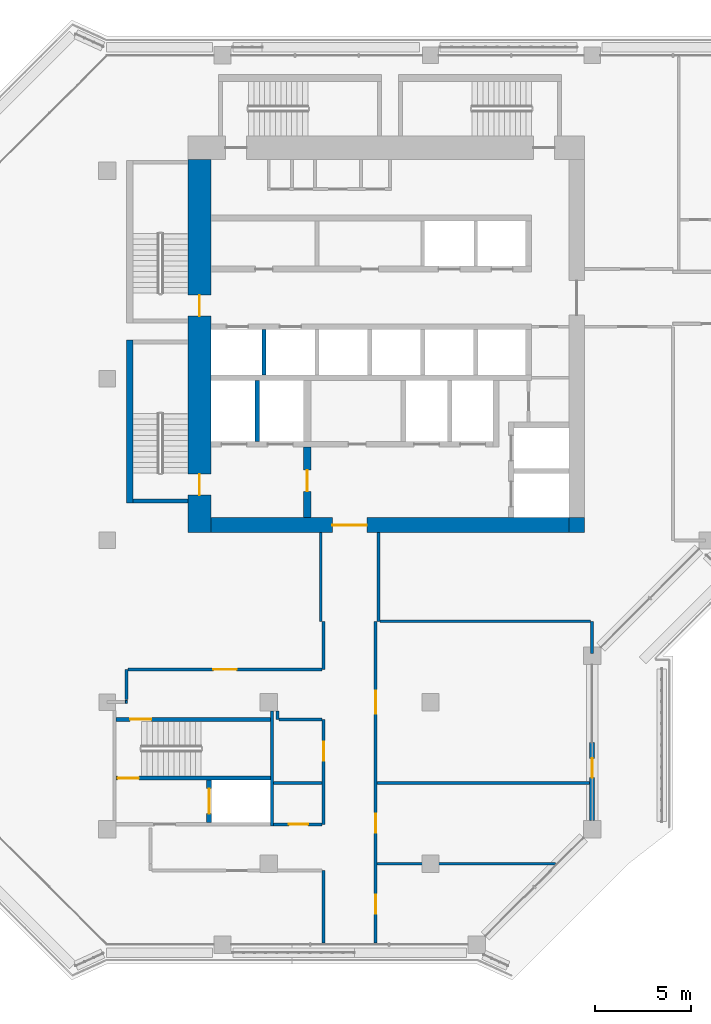
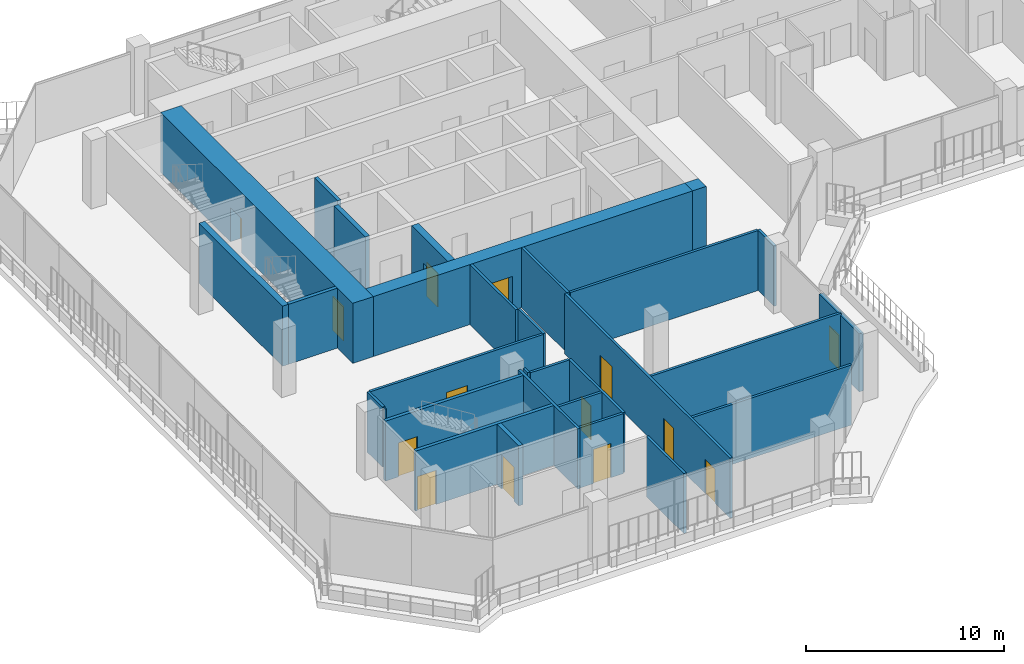
# One storey, part 10 of 23: 30 walls, 14 doors, 14 openings.
"""IFC4 building model written with IfcOpenShell, lengths in metres."""

import ifcopenshell
import ifcopenshell.guid

model = None  # the IFC model being written
_history = None  # IfcOwnerHistory: only IFC2X3 demands one
_inside = {}  # id of a spatial element -> (the spatial element, [elements in it])
_under = {}  # id of a project, library or spatial element -> (it, [spatial elements below it])
_declared = {}  # id of a project -> (the project, [libraries it declares])
_typed = {}  # id of a type object -> (the type object, [elements of that type])
_made_of = {}  # id of a material, layer set ... -> (it, [elements and type objects made of it])


def new_model(schema):
    """Start an empty IFC model of exactly this schema.

    Asked for "IFC4X3", IfcOpenShell would pick the latest addendum, in which some entities
    have other attributes; the version numbers below select the first issue.
    IFC2X3 requires an IfcOwnerHistory on every rooted entity: one is made here for all.
    """
    global model, _history
    if schema == "IFC4X3":
        model = ifcopenshell.file(schema_version=(4, 3, 0, 0))
    else:
        model = ifcopenshell.file(schema=schema)
    _inside.clear()
    _under.clear()
    _declared.clear()
    _typed.clear()
    _made_of.clear()
    _history = None
    if model.schema == "IFC2X3":
        org = make("IfcOrganization", Name="unknown")
        user = make(
            "IfcPersonAndOrganization",
            ThePerson=make("IfcPerson", FamilyName="unknown"),
            TheOrganization=org,
        )
        app = make(
            "IfcApplication",
            ApplicationDeveloper=org,
            Version="unknown",
            ApplicationFullName="unknown",
            ApplicationIdentifier="unknown",
        )
        _history = make(
            "IfcOwnerHistory",
            OwningUser=user,
            OwningApplication=app,
            ChangeAction="ADDED",
            CreationDate=0,
        )
    return model


def make(cls, **values):
    """One entity of the class cls with the attributes given. An attribute that is None is left unset."""
    return model.create_entity(
        cls, **{name: value for name, value in values.items() if value is not None}
    )


def rooted(cls, **values):
    """An entity with a GlobalId (a new one), such as an element, a storey or a relation."""
    return make(cls, GlobalId=ifcopenshell.guid.new(), OwnerHistory=_history, **values)


def si_unit(unit_type, name, prefix=None):
    """IfcSIUnit, for example si_unit("LENGTHUNIT", "METRE", prefix="MILLI")."""
    return make("IfcSIUnit", UnitType=unit_type, Prefix=prefix, Name=name)


def assignment(units):
    """IfcUnitAssignment: the units of a project."""
    return None if units is None else make("IfcUnitAssignment", Units=units)


def point(xyz):
    """IfcCartesianPoint."""
    return None if xyz is None else make("IfcCartesianPoint", Coordinates=xyz)


def direction(xyz):
    """IfcDirection."""
    return None if xyz is None else make("IfcDirection", DirectionRatios=xyz)


def frame(location, z_axis=None, x_axis=None):
    """IfcAxis2Placement3D, a coordinate frame: its origin and axes. An axis left out is left unset."""
    return make(
        "IfcAxis2Placement3D",
        Location=point(location),
        Axis=direction(z_axis),
        RefDirection=direction(x_axis),
    )


def frame_2d(location, x_axis=None):
    """IfcAxis2Placement2D, a coordinate frame in the plane: its origin and x axis."""
    return make(
        "IfcAxis2Placement2D", Location=point(location), RefDirection=direction(x_axis)
    )


def origin():
    """The frame at (0, 0, 0) with its axes left unset."""
    return frame((0.0, 0.0, 0.0))


def place(relative_to, where):
    """IfcLocalPlacement: puts the frame where relative to a parent placement (None: the world)."""
    return make(
        "IfcLocalPlacement", PlacementRelTo=relative_to, RelativePlacement=where
    )


def context(
    kind, dimensions, precision=None, world=None, true_north=None, identifier=None
):
    """IfcGeometricRepresentationContext, for example the 3D "Model" context."""
    return make(
        "IfcGeometricRepresentationContext",
        ContextIdentifier=identifier,
        ContextType=kind,
        CoordinateSpaceDimension=dimensions,
        Precision=precision,
        WorldCoordinateSystem=world,
        TrueNorth=true_north,
    )


def subcontext(parent, identifier, kind, view, scale=None):
    """IfcGeometricRepresentationSubContext, for example "Body" below "Model"."""
    return make(
        "IfcGeometricRepresentationSubContext",
        ContextIdentifier=identifier,
        ContextType=kind,
        ParentContext=parent,
        TargetScale=scale,
        TargetView=view,
    )


def project(units=None, contexts=None):
    """IfcProject with its units and contexts."""
    return rooted(
        "IfcProject",
        Name="project",
        RepresentationContexts=contexts,
        UnitsInContext=assignment(units),
    )


def spatial(cls, under=None, at=None, **own):
    """A site, building, storey or space (cls), placed at a placement, below another one or the project."""
    s = rooted(cls, ObjectPlacement=at, **own)
    if under is not None:
        _under.setdefault(under.id(), (under, []))[1].append(s)
    return s


def profile(cls, at=None, kind="AREA", **sizes):
    """A parametric profile (cls). Its sizes go by their IFC names, for example OverallWidth=200.0."""
    return make(cls, ProfileType=kind, Position=at, **sizes)


def rectangle(**sizes):
    """IfcRectangleProfileDef."""
    return profile("IfcRectangleProfileDef", **sizes)


def extrude(swept, where, along, depth):
    """IfcExtrudedAreaSolid: the profile swept, set in the frame where, extruded along a direction by depth."""
    return make(
        "IfcExtrudedAreaSolid",
        SweptArea=swept,
        Position=where,
        ExtrudedDirection=direction(along),
        Depth=depth,
    )


def shape(context_of_items, identifier, shape_type, items):
    """IfcShapeRepresentation: the items that make up one representation, for example the "Body"."""
    return make(
        "IfcShapeRepresentation",
        ContextOfItems=context_of_items,
        RepresentationIdentifier=identifier,
        RepresentationType=shape_type,
        Items=items,
    )


def material(Name=None, Category=None):
    """IfcMaterial."""
    return make("IfcMaterial", Name=Name, Category=Category)


def layer(
    of_material, thickness, ventilated=None, Name=None, Category=None, Priority=None
):
    """IfcMaterialLayer: one layer of a wall or slab, of a material (None: an air gap)."""
    return make(
        "IfcMaterialLayer",
        Material=of_material,
        LayerThickness=thickness,
        IsVentilated=ventilated,
        Name=Name,
        Category=Category,
        Priority=Priority,
    )


def layer_set(layers, Name=None):
    """IfcMaterialLayerSet."""
    return make("IfcMaterialLayerSet", MaterialLayers=layers, LayerSetName=Name)


def made_of(thing, what):
    """Note that an element or type object is made of a material, layer set ...; save() writes the relation."""
    if what is not None:
        _made_of.setdefault(what.id(), (what, []))[1].append(thing)
    return thing


def type_object(cls, material=None, **own):
    """A type object (cls), such as IfcWallType, which elements share."""
    return made_of(rooted(cls, **own), material)


def element(
    cls,
    number,
    at=None,
    inside=None,
    cuts=None,
    type_object=None,
    material=None,
    context=None,
    identifier="Body",
    shape_type=None,
    held_by="IfcProductDefinitionShape",
    body=None,
    shapes=None,
    **own,
):
    """One element of the class cls, such as IfcWall. Its Tag is "e" and its number.

    at: its placement. inside: the storey or other place that contains it. cuts: it is an
    opening in that element (IfcRelVoidsElement). A single representation is given by context,
    identifier, shape_type and body (its items); several are given by shapes. held_by: the class
    of the entity that holds the representations. save() writes the other relations.
    """
    e = rooted(cls, Tag="e%d" % number, ObjectPlacement=at, **own)
    if body is not None:
        shapes = [shape(context, identifier, shape_type, body)]
    if shapes is not None:
        e.Representation = make(held_by, Representations=shapes)
    if inside is not None:
        _inside.setdefault(inside.id(), (inside, []))[1].append(e)
    if cuts is not None:
        rooted(
            "IfcRelVoidsElement", RelatingBuildingElement=cuts, RelatedOpeningElement=e
        )
    if type_object is not None:
        _typed.setdefault(type_object.id(), (type_object, []))[1].append(e)
    return made_of(e, material)


def fill(opening, filler):
    """IfcRelFillsElement: the door or window that sits in an opening."""
    return rooted(
        "IfcRelFillsElement",
        RelatingOpeningElement=opening,
        RelatedBuildingElement=filler,
    )


def aggregate(whole, parts):
    """IfcRelAggregates: a whole, such as a stair, and the parts it consists of."""
    return rooted("IfcRelAggregates", RelatingObject=whole, RelatedObjects=parts)


def save(model, path):
    """Write the relations noted so far, then the file.

    IfcRelAggregates (storeys below a building ...), IfcRelContainedInSpatialStructure (elements
    in a storey), IfcRelDefinesByType, IfcRelAssociatesMaterial and IfcRelDeclares: one each for
    every whole, place, type object, material and project.
    """
    for whole, parts in _under.values():
        aggregate(whole, parts)
    for where, things in _inside.values():
        rooted(
            "IfcRelContainedInSpatialStructure",
            RelatedElements=things,
            RelatingStructure=where,
        )
    for kind, things in _typed.values():
        rooted("IfcRelDefinesByType", RelatedObjects=things, RelatingType=kind)
    for what, things in _made_of.values():
        rooted("IfcRelAssociatesMaterial", RelatedObjects=things, RelatingMaterial=what)
    for by, libraries in _declared.values():
        rooted("IfcRelDeclares", RelatingContext=by, RelatedDefinitions=libraries)
    model.write(path)


model = new_model("IFC4")

# Units and contexts
model_context = context("Model", 3, precision=1e-05, world=origin(), true_north=direction((0.0, 1.0)))
body_context = subcontext(model_context, "Body", "Model", "MODEL_VIEW")
ifc_project = project(units=[si_unit("LENGTHUNIT", "METRE"), si_unit("AREAUNIT", "SQUARE_METRE"), si_unit("VOLUMEUNIT", "CUBIC_METRE"), si_unit("PLANEANGLEUNIT", "RADIAN"), si_unit("MASSUNIT", "GRAM", prefix="KILO")], contexts=[model_context])

# Site, building, storey
site_placement = place(None, origin())
site = spatial("IfcSite", under=ifc_project, at=site_placement, CompositionType="ELEMENT")
building_placement = place(site_placement, origin())
building = spatial("IfcBuilding", under=site, at=building_placement, Name="Kawkab Arch Medical Tower", CompositionType="ELEMENT")
storey_placement = place(building_placement, frame((0.0, 0.0, 268.39990234375)))
storey = spatial("IfcBuildingStorey", under=building, at=storey_placement, Name="L62", CompositionType="ELEMENT", Elevation=268.39990234375)

# Wall, openings, doors
ifc_material_1 = material(Name="Concrete C50/60", Category="concrete")
ifc_layer_1 = layer(ifc_material_1, 1.199951171875)
ifc_layer_set_1 = layer_set([ifc_layer_1], Name="Concrete C50/60")
wall_type_1 = type_object("IfcWallType", Name="Core ring wall 1200 C50/60", PredefinedType="SHEAR", material=ifc_layer_set_1)
wall_1_placement = place(storey_placement, frame((4.800048828125, -24.800048828125, 0.0), z_axis=(0.0, 0.0, 1.0), x_axis=(0.0, 1.0, 0.0)))
wall_1 = element("IfcWall", 1, at=wall_1_placement, inside=storey, type_object=wall_type_1, Name="L62 core wall", PredefinedType="SHEAR", context=body_context, shape_type="SweptSolid", body=[
    extrude(rectangle(XDim=19.400146484375, YDim=1.199951171875, at=frame_2d((9.7001953125, 0.0))), origin(), (0.0, 0.0, 1.0), 3.7001953125),
])
opening_1_placement = place(wall_1_placement, frame((11.25, 0.0, 0.0)))
opening_1 = element("IfcOpeningElement", 2, at=opening_1_placement, cuts=wall_1, Name="Opening SD", PredefinedType="OPENING", context=body_context, shape_type="SweptSolid", body=[
    extrude(rectangle(XDim=1.10009765625, YDim=2.10009765625, at=frame_2d((0.550048828125, 1.050048828125))), frame((0.0, 0.60986328125, 0.0), z_axis=(0.0, -1.0, 0.0), x_axis=(1.0, 0.0, 0.0)), (0.0, 0.0, 1.0), 1.219970703125),
])
opening_2_placement = place(wall_1_placement, frame((1.949951171875, 0.0, 0.0)))
opening_2 = element("IfcOpeningElement", 3, at=opening_2_placement, cuts=wall_1, Name="Opening SD", PredefinedType="OPENING", context=body_context, shape_type="SweptSolid", body=[
    extrude(rectangle(XDim=1.10009765625, YDim=2.10009765625, at=frame_2d((0.550048828125, 1.050048828125))), frame((0.0, 0.60986328125, 0.0), z_axis=(0.0, -1.0, 0.0), x_axis=(1.0, 0.0, 0.0)), (0.0, 0.0, 1.0), 1.219970703125),
])
ifc_material_2 = material(Name="Hollow metal fire door leaf")
door_type_1 = type_object("IfcDoorType", Name="Exit stair door 1100", OperationType="SINGLE_SWING_LEFT", PredefinedType="DOOR", material=ifc_material_2)
door_1_placement = place(opening_1_placement, origin())
door_1 = element("IfcDoor", 4, at=door_1_placement, inside=storey, type_object=door_type_1, Name="L62 Exit stair ST1 door", OperationType="SINGLE_SWING_LEFT", OverallHeight=2.10009765625, OverallWidth=1.10009765625, PredefinedType="DOOR", context=body_context, shape_type="SweptSolid", body=[
    extrude(rectangle(XDim=1.10009765625, YDim=2.10009765625, at=frame_2d((0.550048828125, 1.050048828125))), frame((0.0, 0.02490234375, 0.0), z_axis=(0.0, -1.0, 0.0), x_axis=(1.0, 0.0, 0.0)), (0.0, 0.0, 1.0), 0.050048828125),
])
fill(opening_1, door_1)
door_2_placement = place(opening_2_placement, origin())
door_2 = element("IfcDoor", 5, at=door_2_placement, inside=storey, type_object=door_type_1, Name="L62 Exit stair ST2 door", OperationType="SINGLE_SWING_LEFT", OverallHeight=2.10009765625, OverallWidth=1.10009765625, PredefinedType="DOOR", context=body_context, shape_type="SweptSolid", body=[
    extrude(rectangle(XDim=1.10009765625, YDim=2.10009765625, at=frame_2d((0.550048828125, 1.050048828125))), frame((0.0, 0.02490234375, 0.0), z_axis=(0.0, -1.0, 0.0), x_axis=(1.0, 0.0, 0.0)), (0.0, 0.0, 1.0), 0.050048828125),
])
fill(opening_2, door_2)

# Wall, opening, door
ifc_material_3 = material(Name="Concrete C50/60", Category="concrete")
ifc_layer_2 = layer(ifc_material_3, 0.800048828125)
ifc_layer_set_2 = layer_set([ifc_layer_2], Name="Concrete C50/60")
wall_type_2 = type_object("IfcWallType", Name="Core ring wall 800 C50/60", PredefinedType="SHEAR", material=ifc_layer_set_2)
wall_2_placement = place(storey_placement, frame((5.39990234375, -24.39990234375, 0.0), z_axis=(0.0, 0.0, 1.0), x_axis=(1.0, 0.0, 0.0)))
wall_2 = element("IfcWall", 6, at=wall_2_placement, inside=storey, type_object=wall_type_2, Name="L62 core wall", PredefinedType="SHEAR", context=body_context, shape_type="SweptSolid", body=[
    extrude(rectangle(XDim=18.60009765625, YDim=0.800048828125, at=frame_2d((9.300048828125, 0.0))), origin(), (0.0, 0.0, 1.0), 3.7001953125),
])
opening_3_placement = place(wall_2_placement, frame((6.300048828125, 0.0, 0.0)))
opening_3 = element("IfcOpeningElement", 7, at=opening_3_placement, cuts=wall_2, Name="Opening PD", PredefinedType="OPENING", context=body_context, shape_type="SweptSolid", body=[
    extrude(rectangle(XDim=1.800048828125, YDim=2.10009765625, at=frame_2d((0.89990234375, 1.050048828125))), frame((0.0, 0.409912109375, 0.0), z_axis=(0.0, -1.0, 0.0), x_axis=(1.0, 0.0, 0.0)), (0.0, 0.0, 1.0), 0.820068359375),
])
ifc_material_4 = material(Name="Hollow metal fire door leaf")
door_type_2 = type_object("IfcDoorType", Name="Core entrance doors 1800", OperationType="DOUBLE_DOOR_SINGLE_SWING", PredefinedType="DOOR", material=ifc_material_4)
door_3_placement = place(opening_3_placement, origin())
door_3 = element("IfcDoor", 8, at=door_3_placement, inside=storey, type_object=door_type_2, Name="L62 South entrance doors", OperationType="DOUBLE_DOOR_SINGLE_SWING", OverallHeight=2.10009765625, OverallWidth=1.800048828125, PredefinedType="DOOR", context=body_context, shape_type="SweptSolid", body=[
    extrude(rectangle(XDim=1.800048828125, YDim=2.10009765625, at=frame_2d((0.89990234375, 1.050048828125))), frame((0.0, 0.02490234375, 0.0), z_axis=(0.0, -1.0, 0.0), x_axis=(1.0, 0.0, 0.0)), (0.0, 0.0, 1.0), 0.050048828125),
])
fill(opening_3, door_3)

# Walls
wall_3_placement = place(storey_placement, frame((24.39990234375, -24.800048828125, 0.0), z_axis=(0.0, 0.0, 1.0), x_axis=(0.0, 1.0, 0.0)))
element("IfcWall", 9, at=wall_3_placement, inside=storey, type_object=wall_type_2, Name="L62 core wall", PredefinedType="SHEAR", context=body_context, shape_type="SweptSolid", body=[
    extrude(rectangle(XDim=0.800048828125, YDim=0.800048828125, at=frame_2d((0.39990234375, 0.0))), origin(), (0.0, 0.0, 1.0), 3.7001953125),
])
ifc_material_5 = material(Name="Concrete C60/75", Category="concrete")
ifc_layer_3 = layer(ifc_material_5, 0.25)
ifc_layer_set_3 = layer_set([ifc_layer_3], Name="Concrete C60/75")
wall_type_3 = type_object("IfcWallType", Name="Core shear wall 250 C60/75", PredefinedType="SHEAR", material=ifc_layer_set_3)
wall_4_placement = place(storey_placement, frame((7.800048828125, -20.050048828125, 0.0), z_axis=(0.0, 0.0, 1.0), x_axis=(0.0, 1.0, 0.0)))
element("IfcWall", 10, at=wall_4_placement, inside=storey, type_object=wall_type_3, Name="L62 core shear wall", PredefinedType="SHEAR", context=body_context, shape_type="SweptSolid", body=[
    extrude(rectangle(XDim=3.150146484375, YDim=0.25, at=frame_2d((1.5751953125, 0.0))), origin(), (0.0, 0.0, 1.0), 3.7001953125),
])

# Wall, opening, door
wall_5_placement = place(storey_placement, frame((5.300048828125, -39.85009765625, 0.0), z_axis=(0.0, 0.0, 1.0), x_axis=(0.0, 1.0, 0.0)))
wall_5 = element("IfcWall", 11, at=wall_5_placement, inside=storey, type_object=wall_type_3, Name="L62 core shear wall", PredefinedType="SHEAR", context=body_context, shape_type="SweptSolid", body=[
    extrude(rectangle(XDim=2.2001953125, YDim=0.25, at=frame_2d((1.10009765625, 0.0))), origin(), (0.0, 0.0, 1.0), 3.7001953125),
])
opening_4_placement = place(wall_5_placement, frame((0.449951171875, 0.0, 0.0)))
opening_4 = element("IfcOpeningElement", 12, at=opening_4_placement, cuts=wall_5, Name="Opening LD2", PredefinedType="OPENING", context=body_context, shape_type="SweptSolid", body=[
    extrude(rectangle(XDim=1.300048828125, YDim=2.10009765625, at=frame_2d((0.64990234375, 1.050048828125))), frame((0.0, 0.135009765625, 0.0), z_axis=(0.0, -1.0, 0.0), x_axis=(1.0, 0.0, 0.0)), (0.0, 0.0, 1.0), 0.27001953125),
])
ifc_material_6 = material(Name="Stainless steel lift door leaf", Category="steel")
door_type_3 = type_object("IfcDoorType", Name="Lift landing door 1300", OperationType="DOUBLE_DOOR_SLIDING", PredefinedType="DOOR", material=ifc_material_6)
door_4_placement = place(opening_4_placement, origin())
door_4 = element("IfcDoor", 13, at=door_4_placement, inside=storey, type_object=door_type_3, Name="L62 Lift landing door SV2", OperationType="DOUBLE_DOOR_SLIDING", OverallHeight=2.10009765625, OverallWidth=1.300048828125, PredefinedType="DOOR", context=body_context, shape_type="SweptSolid", body=[
    extrude(rectangle(XDim=1.300048828125, YDim=2.10009765625, at=frame_2d((0.64990234375, 1.050048828125))), frame((0.0, 0.02490234375, 0.0), z_axis=(0.0, -1.0, 0.0), x_axis=(1.0, 0.0, 0.0)), (0.0, 0.0, 1.0), 0.050048828125),
])
fill(opening_4, door_4)

ifc_material_7 = material(Name="Concrete C60/75", Category="concrete")
ifc_layer_4 = layer(ifc_material_7, 0.39990234375)
ifc_layer_set_4 = layer_set([ifc_layer_4], Name="Concrete C60/75")
wall_type_4 = type_object("IfcWallType", Name="Core shear wall 400 C60/75", PredefinedType="SHEAR", material=ifc_layer_set_4)
wall_6_placement = place(storey_placement, frame((10.39990234375, -24.0, 0.0), z_axis=(0.0, 0.0, 1.0), x_axis=(0.0, 1.0, 0.0)))
wall_6 = element("IfcWall", 14, at=wall_6_placement, inside=storey, type_object=wall_type_4, Name="L62 core shear wall", PredefinedType="SHEAR", context=body_context, shape_type="SweptSolid", body=[
    extrude(rectangle(XDim=3.64990234375, YDim=0.39990234375, at=frame_2d((1.824951171875, 0.0))), origin(), (0.0, 0.0, 1.0), 3.7001953125),
])
opening_5_placement = place(wall_6_placement, frame((1.35009765625, 0.0, 0.0)))
opening_5 = element("IfcOpeningElement", 15, at=opening_5_placement, cuts=wall_6, Name="Opening FD", PredefinedType="OPENING", context=body_context, shape_type="SweptSolid", body=[
    extrude(rectangle(XDim=1.10009765625, YDim=2.10009765625, at=frame_2d((0.550048828125, 1.050048828125))), frame((0.0, 0.2099609375, 0.0), z_axis=(0.0, -1.0, 0.0), x_axis=(1.0, 0.0, 0.0)), (0.0, 0.0, 1.0), 0.419921875),
])
ifc_material_8 = material(Name="Hollow metal fire door leaf")
door_type_4 = type_object("IfcDoorType", Name="Firefighting lobby door 1100", OperationType="SINGLE_SWING_LEFT", PredefinedType="DOOR", material=ifc_material_8)
door_5_placement = place(opening_5_placement, origin())
door_5 = element("IfcDoor", 16, at=door_5_placement, inside=storey, type_object=door_type_4, Name="L62 Firefighting lobby door", OperationType="SINGLE_SWING_LEFT", OverallHeight=2.10009765625, OverallWidth=1.10009765625, PredefinedType="DOOR", context=body_context, shape_type="SweptSolid", body=[
    extrude(rectangle(XDim=1.10009765625, YDim=2.10009765625, at=frame_2d((0.550048828125, 1.050048828125))), frame((0.0, 0.02490234375, 0.0), z_axis=(0.0, -1.0, 0.0), x_axis=(1.0, 0.0, 0.0)), (0.0, 0.0, 1.0), 0.050048828125),
])
fill(opening_5, door_5)

ifc_material_9 = material(Name="Bronze clad insulated wall panel")
ifc_layer_5 = layer(ifc_material_9, 0.25)
ifc_layer_set_5 = layer_set([ifc_layer_5], Name="Bronze clad insulated wall panel")
wall_type_5 = type_object("IfcWallType", Name="External wall bay 250", PredefinedType="SOLIDWALL", material=ifc_layer_set_5)
wall_7_placement = place(storey_placement, frame((25.199951171875, -39.75, 0.0), z_axis=(0.0, 0.0, 1.0), x_axis=(0.0, 1.0, 0.0)))
wall_7 = element("IfcWall", 17, at=wall_7_placement, inside=storey, type_object=wall_type_5, Name="External wall bay L62.R05.1.1", PredefinedType="SOLIDWALL", context=body_context, shape_type="SweptSolid", body=[
    extrude(rectangle(XDim=4.050048828125, YDim=0.25, at=frame_2d((2.02490234375, 0.0))), origin(), (0.0, 0.0, 1.0), 3.580078125),
])
opening_6_placement = place(wall_7_placement, frame((2.22509765625, 0.0, 0.0)))
opening_6 = element("IfcOpeningElement", 18, at=opening_6_placement, cuts=wall_7, Name="Opening W57-701", PredefinedType="OPENING", context=body_context, shape_type="SweptSolid", body=[
    extrude(rectangle(XDim=1.0, YDim=2.10009765625, at=frame_2d((0.5, 1.050048828125))), frame((0.0, 0.135009765625, 0.0), z_axis=(0.0, -1.0, 0.0), x_axis=(1.0, 0.0, 0.0)), (0.0, 0.0, 1.0), 0.27001953125),
])
ifc_material_10 = material(Name="Bronze anodised aluminium door with tinted glass", Category="aluminium")
door_type_5 = type_object("IfcDoorType", Name="Single external door 1000 x 2100", OperationType="SINGLE_SWING_LEFT", PredefinedType="DOOR", material=ifc_material_10)
door_6_placement = place(opening_6_placement, origin())
door_6 = element("IfcDoor", 19, at=door_6_placement, inside=storey, type_object=door_type_5, Name="External door L62.R05.1.1", OperationType="SINGLE_SWING_LEFT", OverallHeight=2.10009765625, OverallWidth=1.0, PredefinedType="DOOR", context=body_context, shape_type="SweptSolid", body=[
    extrude(rectangle(XDim=1.0, YDim=2.10009765625, at=frame_2d((0.5, 1.050048828125))), frame((0.0, 0.02490234375, 0.0), z_axis=(0.0, -1.0, 0.0), x_axis=(1.0, 0.0, 0.0)), (0.0, 0.0, 1.0), 0.050048828125),
])
fill(opening_6, door_6)

# Walls
ifc_material_11 = material(Name="Dense concrete blockwork", Category="masonry")
ifc_layer_6 = layer(ifc_material_11, 0.199951171875)
ifc_layer_set_6 = layer_set([ifc_layer_6], Name="Dense concrete blockwork")
wall_type_6 = type_object("IfcWallType", Name="Lift shaft partition 200", PredefinedType="PARTITIONING", material=ifc_layer_set_6)
wall_8_placement = place(storey_placement, frame((8.14990234375, -16.60009765625, 0.0), z_axis=(0.0, 0.0, 1.0), x_axis=(0.0, 1.0, 0.0)))
element("IfcWall", 20, at=wall_8_placement, inside=storey, type_object=wall_type_6, Name="L62 lift shaft partition", PredefinedType="PARTITIONING", context=body_context, shape_type="SweptSolid", body=[
    extrude(rectangle(XDim=2.35009765625, YDim=0.199951171875, at=frame_2d((1.175048828125, 0.0))), origin(), (0.0, 0.0, 1.0), 3.7001953125),
])
ifc_material_12 = material(Name="Gypsum board partition on steel studs, mineral wool", Category="steel")
ifc_layer_7 = layer(ifc_material_12, 0.14990234375)
ifc_layer_set_7 = layer_set([ifc_layer_7], Name="Gypsum board partition on steel studs, mineral wool")
wall_type_7 = type_object("IfcWallType", Name="Partition 150", PredefinedType="PARTITIONING", material=ifc_layer_set_7)
wall_9_placement = place(storey_placement, frame((14.02490234375, -42.0, 0.0), z_axis=(0.0, 0.0, 1.0), x_axis=(1.0, 0.0, 0.0)))
element("IfcWall", 21, at=wall_9_placement, inside=storey, type_object=wall_type_7, Name="Partition 150 w020", PredefinedType="PARTITIONING", context=body_context, shape_type="SweptSolid", body=[
    extrude(rectangle(XDim=9.26220703125, YDim=0.14990234375, at=frame_2d((4.631103515625, 0.0))), origin(), (0.0, 0.0, 1.0), 3.7001953125),
])

# Wall, opening, door
wall_10_placement = place(storey_placement, frame((8.64990234375, -39.949951171875, 0.0), z_axis=(0.0, 0.0, 1.0), x_axis=(1.0, 0.0, 0.0)))
wall_10 = element("IfcWall", 22, at=wall_10_placement, inside=storey, type_object=wall_type_7, Name="Partition 150 w021", PredefinedType="PARTITIONING", context=body_context, shape_type="SweptSolid", body=[
    extrude(rectangle(XDim=2.525146484375, YDim=0.14990234375, at=frame_2d((1.2626953125, 0.0))), origin(), (0.0, 0.0, 1.0), 3.7001953125),
])
opening_7_placement = place(wall_10_placement, frame((0.800048828125, 0.0, 0.0)))
opening_7 = element("IfcOpeningElement", 23, at=opening_7_placement, cuts=wall_10, Name="Opening W57-014", PredefinedType="OPENING", context=body_context, shape_type="SweptSolid", body=[
    extrude(rectangle(XDim=1.0, YDim=2.10009765625, at=frame_2d((0.5, 1.050048828125))), frame((0.0, 0.0849609375, 0.0), z_axis=(0.0, -1.0, 0.0), x_axis=(1.0, 0.0, 0.0)), (0.0, 0.0, 1.0), 0.169921875),
])
ifc_material_13 = material(Name="Hollow metal door leaf")
door_type_6 = type_object("IfcDoorType", Name="Single door 1000x2100 FD30S", OperationType="NOTDEFINED", PredefinedType="DOOR", material=ifc_material_13)
door_7_placement = place(opening_7_placement, origin())
door_7 = element("IfcDoor", 24, at=door_7_placement, inside=storey, type_object=door_type_6, Name="Door W57-014", OperationType="SINGLE_SWING_RIGHT", OverallHeight=2.10009765625, OverallWidth=1.0, PredefinedType="DOOR", context=body_context, shape_type="SweptSolid", body=[
    extrude(rectangle(XDim=1.0, YDim=2.10009765625, at=frame_2d((0.5, 1.050048828125))), frame((0.0, 0.02490234375, 0.0), z_axis=(0.0, -1.0, 0.0), x_axis=(1.0, 0.0, 0.0)), (0.0, 0.0, 1.0), 0.050048828125),
])
fill(opening_7, door_7)

# Walls
wall_11_placement = place(storey_placement, frame((8.64990234375, -37.800048828125, 0.0), z_axis=(0.0, 0.0, 1.0), x_axis=(1.0, 0.0, 0.0)))
element("IfcWall", 25, at=wall_11_placement, inside=storey, type_object=wall_type_7, Name="Partition 150 w022", PredefinedType="PARTITIONING", context=body_context, shape_type="SweptSolid", body=[
    extrude(rectangle(XDim=2.525146484375, YDim=0.14990234375, at=frame_2d((1.2626953125, 0.0))), origin(), (0.0, 0.0, 1.0), 3.7001953125),
])
wall_12_placement = place(storey_placement, frame((14.02490234375, -37.800048828125, 0.0), z_axis=(0.0, 0.0, 1.0), x_axis=(1.0, 0.0, 0.0)))
element("IfcWall", 26, at=wall_12_placement, inside=storey, type_object=wall_type_7, Name="Partition 150 w023", PredefinedType="PARTITIONING", context=body_context, shape_type="SweptSolid", body=[
    extrude(rectangle(XDim=11.09521484375, YDim=0.14990234375, at=frame_2d((5.547607421875, 0.0))), origin(), (0.0, 0.0, 1.0), 3.7001953125),
])
wall_13_placement = place(storey_placement, frame((8.925048828125, -34.5, 0.0), z_axis=(0.0, 0.0, 1.0), x_axis=(1.0, 0.0, 0.0)))
element("IfcWall", 27, at=wall_13_placement, inside=storey, type_object=wall_type_7, Name="Partition 150 w024", PredefinedType="PARTITIONING", context=body_context, shape_type="SweptSolid", body=[
    extrude(rectangle(XDim=2.25, YDim=0.14990234375, at=frame_2d((1.125, 0.0))), origin(), (0.0, 0.0, 1.0), 3.7001953125),
])
wall_14_placement = place(storey_placement, frame((0.949951171875, -33.590087890625, 0.0), z_axis=(0.0, 0.0, 1.0), x_axis=(1.0, 0.0, 0.0)))
element("IfcWall", 28, at=wall_14_placement, inside=storey, type_object=wall_type_7, Name="Partition 150 w026", PredefinedType="PARTITIONING", context=body_context, shape_type="SweptSolid", body=[
    extrude(rectangle(XDim=0.09912109375, YDim=0.14990234375, at=frame_2d((0.049560546875, 0.0))), origin(), (0.0, 0.0, 1.0), 3.7001953125),
])

# Wall, opening, door
wall_15_placement = place(storey_placement, frame((1.074951171875, -31.906982421875, 0.0), z_axis=(0.0, 0.0, 1.0), x_axis=(1.0, 0.0, 0.0)))
wall_15 = element("IfcWall", 29, at=wall_15_placement, inside=storey, type_object=wall_type_7, Name="Partition 150 w027", PredefinedType="PARTITIONING", context=body_context, shape_type="SweptSolid", body=[
    extrude(rectangle(XDim=10.10009765625, YDim=0.14990234375, at=frame_2d((5.050048828125, 0.0))), origin(), (0.0, 0.0, 1.0), 3.7001953125),
])
opening_8_placement = place(wall_15_placement, frame((4.449951171875, 0.0, 0.0)))
opening_8 = element("IfcOpeningElement", 30, at=opening_8_placement, cuts=wall_15, Name="Opening W57-037", PredefinedType="OPENING", context=body_context, shape_type="SweptSolid", body=[
    extrude(rectangle(XDim=1.199951171875, YDim=2.10009765625, at=frame_2d((0.60009765625, 1.050048828125))), frame((0.0, 0.0849609375, 0.0), z_axis=(0.0, -1.0, 0.0), x_axis=(1.0, 0.0, 0.0)), (0.0, 0.0, 1.0), 0.169921875),
])
ifc_material_14 = material(Name="Hollow metal door leaf")
door_type_7 = type_object("IfcDoorType", Name="Single door 1200x2100 FD30S", OperationType="NOTDEFINED", PredefinedType="DOOR", material=ifc_material_14)
door_8_placement = place(opening_8_placement, origin())
door_8 = element("IfcDoor", 31, at=door_8_placement, inside=storey, type_object=door_type_7, Name="Door W57-037", OperationType="SINGLE_SWING_RIGHT", OverallHeight=2.10009765625, OverallWidth=1.199951171875, PredefinedType="DOOR", context=body_context, shape_type="SweptSolid", body=[
    extrude(rectangle(XDim=1.199951171875, YDim=2.10009765625, at=frame_2d((0.60009765625, 1.050048828125))), frame((0.0, 0.02490234375, 0.0), z_axis=(0.0, -1.0, 0.0), x_axis=(1.0, 0.0, 0.0)), (0.0, 0.0, 1.0), 0.050048828125),
])
fill(opening_8, door_8)

# Walls
wall_16_placement = place(storey_placement, frame((14.175048828125, -29.39990234375, 0.0), z_axis=(0.0, 0.0, 1.0), x_axis=(1.0, 0.0, 0.0)))
element("IfcWall", 32, at=wall_16_placement, inside=storey, type_object=wall_type_7, Name="Partition 150 w028", PredefinedType="PARTITIONING", context=body_context, shape_type="SweptSolid", body=[
    extrude(rectangle(XDim=10.949951171875, YDim=0.14990234375, at=frame_2d((5.47509765625, 0.0))), origin(), (0.0, 0.0, 1.0), 3.7001953125),
])
wall_17_placement = place(storey_placement, frame((1.0, -33.455078125, 0.0), z_axis=(0.0, 0.0, 1.0), x_axis=(0.0, 1.0, 0.0)))
element("IfcWall", 33, at=wall_17_placement, inside=storey, type_object=wall_type_7, Name="Partition 150 w042", PredefinedType="PARTITIONING", context=body_context, shape_type="SweptSolid", body=[
    extrude(rectangle(XDim=1.548095703125, YDim=0.14990234375, at=frame_2d((0.77392578125, 0.0))), origin(), (0.0, 0.0, 1.0), 3.7001953125),
])
wall_18_placement = place(storey_placement, frame((8.85009765625, -34.5, 0.0), z_axis=(0.0, 0.0, 1.0), x_axis=(0.0, 1.0, 0.0)))
element("IfcWall", 34, at=wall_18_placement, inside=storey, type_object=wall_type_7, Name="Partition 150 w045", PredefinedType="PARTITIONING", context=body_context, shape_type="SweptSolid", body=[
    extrude(rectangle(XDim=0.448974609375, YDim=0.14990234375, at=frame_2d((0.224609375, 0.0))), origin(), (0.0, 0.0, 1.0), 3.7001953125),
])
wall_19_placement = place(storey_placement, frame((11.10009765625, -29.39990234375, 0.0), z_axis=(0.0, 0.0, 1.0), x_axis=(0.0, 1.0, 0.0)))
element("IfcWall", 35, at=wall_19_placement, inside=storey, type_object=wall_type_7, Name="Partition 150 w046", PredefinedType="PARTITIONING", context=body_context, shape_type="SweptSolid", body=[
    extrude(rectangle(XDim=4.599853515625, YDim=0.14990234375, at=frame_2d((2.2998046875, 0.0))), origin(), (0.0, 0.0, 1.0), 3.7001953125),
])
wall_20_placement = place(storey_placement, frame((11.25, -46.1201171875, 0.0), z_axis=(0.0, 0.0, 1.0), x_axis=(0.0, 1.0, 0.0)))
element("IfcWall", 36, at=wall_20_placement, inside=storey, type_object=wall_type_7, Name="Partition 150 w047", PredefinedType="PARTITIONING", context=body_context, shape_type="SweptSolid", body=[
    extrude(rectangle(XDim=3.77001953125, YDim=0.14990234375, at=frame_2d((1.885009765625, 0.0))), origin(), (0.0, 0.0, 1.0), 3.7001953125),
])

# Wall, opening, door
wall_21_placement = place(storey_placement, frame((11.25, -39.949951171875, 0.0), z_axis=(0.0, 0.0, 1.0), x_axis=(0.0, 1.0, 0.0)))
wall_21 = element("IfcWall", 37, at=wall_21_placement, inside=storey, type_object=wall_type_7, Name="Partition 150 w048", PredefinedType="PARTITIONING", context=body_context, shape_type="SweptSolid", body=[
    extrude(rectangle(XDim=5.449951171875, YDim=0.14990234375, at=frame_2d((2.72509765625, 0.0))), origin(), (0.0, 0.0, 1.0), 3.7001953125),
])
opening_9_placement = place(wall_21_placement, frame((3.300048828125, 0.0, 0.0)))
opening_9 = element("IfcOpeningElement", 38, at=opening_9_placement, cuts=wall_21, Name="Opening W57-013", PredefinedType="OPENING", context=body_context, shape_type="SweptSolid", body=[
    extrude(rectangle(XDim=1.0, YDim=2.10009765625, at=frame_2d((0.5, 1.050048828125))), frame((0.0, 0.0849609375, 0.0), z_axis=(0.0, -1.0, 0.0), x_axis=(1.0, 0.0, 0.0)), (0.0, 0.0, 1.0), 0.169921875),
])
door_9_placement = place(opening_9_placement, origin())
door_9 = element("IfcDoor", 39, at=door_9_placement, inside=storey, type_object=door_type_6, Name="Door W57-013", OperationType="SINGLE_SWING_RIGHT", OverallHeight=2.10009765625, OverallWidth=1.0, PredefinedType="DOOR", context=body_context, shape_type="SweptSolid", body=[
    extrude(rectangle(XDim=1.0, YDim=2.10009765625, at=frame_2d((0.5, 1.050048828125))), frame((0.0, 0.02490234375, 0.0), z_axis=(0.0, -1.0, 0.0), x_axis=(1.0, 0.0, 0.0)), (0.0, 0.0, 1.0), 0.050048828125),
])
fill(opening_9, door_9)

# Wall
wall_22_placement = place(storey_placement, frame((11.25, -31.906982421875, 0.0), z_axis=(0.0, 0.0, 1.0), x_axis=(0.0, 1.0, 0.0)))
element("IfcWall", 40, at=wall_22_placement, inside=storey, type_object=wall_type_7, Name="Partition 150 w049", PredefinedType="PARTITIONING", context=body_context, shape_type="SweptSolid", body=[
    extrude(rectangle(XDim=2.507080078125, YDim=0.14990234375, at=frame_2d((1.25341796875, 0.0))), origin(), (0.0, 0.0, 1.0), 3.7001953125),
])

# Wall, openings, doors
wall_23_placement = place(storey_placement, frame((13.949951171875, -46.1201171875, 0.0), z_axis=(0.0, 0.0, 1.0), x_axis=(0.0, 1.0, 0.0)))
wall_23 = element("IfcWall", 41, at=wall_23_placement, inside=storey, type_object=wall_type_7, Name="Partition 150 w050", PredefinedType="PARTITIONING", context=body_context, shape_type="SweptSolid", body=[
    extrude(rectangle(XDim=16.72021484375, YDim=0.14990234375, at=frame_2d((8.360107421875, 0.0))), origin(), (0.0, 0.0, 1.0), 3.7001953125),
])
opening_10_placement = place(wall_23_placement, frame((11.919921875, 0.0, 0.0)))
opening_10 = element("IfcOpeningElement", 42, at=opening_10_placement, cuts=wall_23, Name="Opening W57-038", PredefinedType="OPENING", context=body_context, shape_type="SweptSolid", body=[
    extrude(rectangle(XDim=1.199951171875, YDim=2.10009765625, at=frame_2d((0.60009765625, 1.050048828125))), frame((0.0, 0.0849609375, 0.0), z_axis=(0.0, -1.0, 0.0), x_axis=(1.0, 0.0, 0.0)), (0.0, 0.0, 1.0), 0.169921875),
])
opening_11_placement = place(wall_23_placement, frame((5.719970703125, 0.0, 0.0)))
opening_11 = element("IfcOpeningElement", 43, at=opening_11_placement, cuts=wall_23, Name="Opening W57-016", PredefinedType="OPENING", context=body_context, shape_type="SweptSolid", body=[
    extrude(rectangle(XDim=1.0, YDim=2.10009765625, at=frame_2d((0.5, 1.050048828125))), frame((0.0, 0.0849609375, 0.0), z_axis=(0.0, -1.0, 0.0), x_axis=(1.0, 0.0, 0.0)), (0.0, 0.0, 1.0), 0.169921875),
])
opening_12_placement = place(wall_23_placement, frame((1.52001953125, 0.0, 0.0)))
opening_12 = element("IfcOpeningElement", 44, at=opening_12_placement, cuts=wall_23, Name="Opening W57-017", PredefinedType="OPENING", context=body_context, shape_type="SweptSolid", body=[
    extrude(rectangle(XDim=1.0, YDim=2.10009765625, at=frame_2d((0.5, 1.050048828125))), frame((0.0, 0.0849609375, 0.0), z_axis=(0.0, -1.0, 0.0), x_axis=(1.0, 0.0, 0.0)), (0.0, 0.0, 1.0), 0.169921875),
])
door_10_placement = place(opening_11_placement, origin())
door_10 = element("IfcDoor", 45, at=door_10_placement, inside=storey, type_object=door_type_6, Name="Door W57-016", OperationType="SINGLE_SWING_RIGHT", OverallHeight=2.10009765625, OverallWidth=1.0, PredefinedType="DOOR", context=body_context, shape_type="SweptSolid", body=[
    extrude(rectangle(XDim=1.0, YDim=2.10009765625, at=frame_2d((0.5, 1.050048828125))), frame((0.0, 0.02490234375, 0.0), z_axis=(0.0, -1.0, 0.0), x_axis=(1.0, 0.0, 0.0)), (0.0, 0.0, 1.0), 0.050048828125),
])
fill(opening_11, door_10)
door_11_placement = place(opening_12_placement, origin())
door_11 = element("IfcDoor", 46, at=door_11_placement, inside=storey, type_object=door_type_6, Name="Door W57-017", OperationType="SINGLE_SWING_RIGHT", OverallHeight=2.10009765625, OverallWidth=1.0, PredefinedType="DOOR", context=body_context, shape_type="SweptSolid", body=[
    extrude(rectangle(XDim=1.0, YDim=2.10009765625, at=frame_2d((0.5, 1.050048828125))), frame((0.0, 0.02490234375, 0.0), z_axis=(0.0, -1.0, 0.0), x_axis=(1.0, 0.0, 0.0)), (0.0, 0.0, 1.0), 0.050048828125),
])
fill(opening_12, door_11)
door_12_placement = place(opening_10_placement, origin())
door_12 = element("IfcDoor", 47, at=door_12_placement, inside=storey, type_object=door_type_7, Name="Door W57-038", OperationType="SINGLE_SWING_LEFT", OverallHeight=2.10009765625, OverallWidth=1.199951171875, PredefinedType="DOOR", context=body_context, shape_type="SweptSolid", body=[
    extrude(rectangle(XDim=1.199951171875, YDim=2.10009765625, at=frame_2d((0.60009765625, 1.050048828125))), frame((0.0, 0.02490234375, 0.0), z_axis=(0.0, -1.0, 0.0), x_axis=(1.0, 0.0, 0.0)), (0.0, 0.0, 1.0), 0.050048828125),
])
fill(opening_10, door_12)

# Walls
wall_24_placement = place(storey_placement, frame((14.10009765625, -29.39990234375, 0.0), z_axis=(0.0, 0.0, 1.0), x_axis=(0.0, 1.0, 0.0)))
element("IfcWall", 48, at=wall_24_placement, inside=storey, type_object=wall_type_7, Name="Partition 150 w051", PredefinedType="PARTITIONING", context=body_context, shape_type="SweptSolid", body=[
    extrude(rectangle(XDim=4.599853515625, YDim=0.14990234375, at=frame_2d((2.2998046875, 0.0))), origin(), (0.0, 0.0, 1.0), 3.7001953125),
])
wall_25_placement = place(storey_placement, frame((25.199951171875, -31.0869140625, 0.0), z_axis=(0.0, 0.0, 1.0), x_axis=(0.0, 1.0, 0.0)))
element("IfcWall", 49, at=wall_25_placement, inside=storey, type_object=wall_type_7, Name="Partition 150 w052", PredefinedType="PARTITIONING", context=body_context, shape_type="SweptSolid", body=[
    extrude(rectangle(XDim=1.68701171875, YDim=0.14990234375, at=frame_2d((0.843505859375, 0.0))), origin(), (0.0, 0.0, 1.0), 3.7001953125),
])
ifc_material_15 = material(Name="Concrete C50/60", Category="concrete")
ifc_layer_8 = layer(ifc_material_15, 0.14990234375)
ifc_layer_set_8 = layer_set([ifc_layer_8], Name="Concrete C50/60")
wall_type_8 = type_object("IfcWallType", Name="Stair enclosure wall 150 C50/60", PredefinedType="SHEAR", material=ifc_layer_set_8)
wall_26_placement = place(storey_placement, frame((8.574951171875, -40.050048828125, 0.0), z_axis=(0.0, 0.0, 1.0), x_axis=(0.0, 1.0, 0.0)))
element("IfcWall", 50, at=wall_26_placement, inside=storey, type_object=wall_type_8, Name="L62 stair enclosure wall", PredefinedType="SHEAR", context=body_context, shape_type="SweptSolid", body=[
    extrude(rectangle(XDim=6.0, YDim=0.14990234375, at=frame_2d((3.0, 0.0))), origin(), (0.0, 0.0, 1.0), 3.7001953125),
])
ifc_material_16 = material(Name="Concrete C50/60", Category="concrete")
ifc_layer_9 = layer(ifc_material_16, 0.199951171875)
ifc_layer_set_9 = layer_set([ifc_layer_9], Name="Concrete C50/60")
wall_type_9 = type_object("IfcWallType", Name="Stair enclosure wall 200 C50/60", PredefinedType="SHEAR", material=ifc_layer_set_9)
wall_27_placement = place(storey_placement, frame((1.35009765625, -23.14990234375, 0.0), z_axis=(0.0, 0.0, 1.0), x_axis=(1.0, 0.0, 0.0)))
element("IfcWall", 51, at=wall_27_placement, inside=storey, type_object=wall_type_9, Name="L62 stair enclosure wall", PredefinedType="SHEAR", context=body_context, shape_type="SweptSolid", body=[
    extrude(rectangle(XDim=2.849853515625, YDim=0.199951171875, at=frame_2d((1.4248046875, 0.0))), origin(), (0.0, 0.0, 1.0), 3.7001953125),
])

# Wall, opening, door
wall_28_placement = place(storey_placement, frame((0.449951171875, -34.5, 0.0), z_axis=(0.0, 0.0, 1.0), x_axis=(1.0, 0.0, 0.0)))
wall_28 = element("IfcWall", 52, at=wall_28_placement, inside=storey, type_object=wall_type_9, Name="L62 stair enclosure wall", PredefinedType="SHEAR", context=body_context, shape_type="SweptSolid", body=[
    extrude(rectangle(XDim=8.050048828125, YDim=0.199951171875, at=frame_2d((4.02490234375, 0.0))), origin(), (0.0, 0.0, 1.0), 3.7001953125),
])
opening_13_placement = place(wall_28_placement, frame((0.75, 0.0, 0.0)))
opening_13 = element("IfcOpeningElement", 53, at=opening_13_placement, cuts=wall_28, Name="Opening SD", PredefinedType="OPENING", context=body_context, shape_type="SweptSolid", body=[
    extrude(rectangle(XDim=1.10009765625, YDim=2.10009765625, at=frame_2d((0.550048828125, 1.050048828125))), frame((0.0, 0.10986328125, 0.0), z_axis=(0.0, -1.0, 0.0), x_axis=(1.0, 0.0, 0.0)), (0.0, 0.0, 1.0), 0.219970703125),
])
door_13_placement = place(opening_13_placement, origin())
door_13 = element("IfcDoor", 54, at=door_13_placement, inside=storey, type_object=door_type_1, Name="L62 Exit stair ST6 door", OperationType="SINGLE_SWING_LEFT", OverallHeight=2.10009765625, OverallWidth=1.10009765625, PredefinedType="DOOR", context=body_context, shape_type="SweptSolid", body=[
    extrude(rectangle(XDim=1.10009765625, YDim=2.10009765625, at=frame_2d((0.550048828125, 1.050048828125))), frame((0.0, 0.02490234375, 0.0), z_axis=(0.0, -1.0, 0.0), x_axis=(1.0, 0.0, 0.0)), (0.0, 0.0, 1.0), 0.050048828125),
])
fill(opening_13, door_13)

wall_29_placement = place(storey_placement, frame((0.449951171875, -37.550048828125, 0.0), z_axis=(0.0, 0.0, 1.0), x_axis=(1.0, 0.0, 0.0)))
wall_29 = element("IfcWall", 55, at=wall_29_placement, inside=storey, type_object=wall_type_9, Name="L62 stair enclosure wall", PredefinedType="SHEAR", context=body_context, shape_type="SweptSolid", body=[
    extrude(rectangle(XDim=8.050048828125, YDim=0.199951171875, at=frame_2d((4.02490234375, 0.0))), origin(), (0.0, 0.0, 1.0), 3.7001953125),
])
opening_14_placement = place(wall_29_placement, frame((0.10009765625, 0.0, 0.0)))
opening_14 = element("IfcOpeningElement", 56, at=opening_14_placement, cuts=wall_29, Name="Opening SD", PredefinedType="OPENING", context=body_context, shape_type="SweptSolid", body=[
    extrude(rectangle(XDim=1.10009765625, YDim=2.10009765625, at=frame_2d((0.550048828125, 1.050048828125))), frame((0.0, 0.10986328125, 0.0), z_axis=(0.0, -1.0, 0.0), x_axis=(1.0, 0.0, 0.0)), (0.0, 0.0, 1.0), 0.219970703125),
])
door_14_placement = place(opening_14_placement, frame((1.10009765625, 0.0, 0.0), z_axis=(0.0, 0.0, 1.0), x_axis=(-1.0, 0.0, 0.0)))
door_14 = element("IfcDoor", 57, at=door_14_placement, inside=storey, type_object=door_type_1, Name="L62 Exit stair ST6 lobby door", OperationType="SINGLE_SWING_LEFT", OverallHeight=2.10009765625, OverallWidth=1.10009765625, PredefinedType="DOOR", context=body_context, shape_type="SweptSolid", body=[
    extrude(rectangle(XDim=1.10009765625, YDim=2.10009765625, at=frame_2d((0.550048828125, 1.050048828125))), frame((0.0, 0.02490234375, 0.0), z_axis=(0.0, -1.0, 0.0), x_axis=(1.0, 0.0, 0.0)), (0.0, 0.0, 1.0), 0.050048828125),
])
fill(opening_14, door_14)

# Wall
ifc_material_17 = material(Name="Concrete C50/60", Category="concrete")
ifc_layer_10 = layer(ifc_material_17, 0.35009765625)
ifc_layer_set_10 = layer_set([ifc_layer_10], Name="Concrete C50/60")
wall_type_10 = type_object("IfcWallType", Name="Stair enclosure wall 350 C50/60", PredefinedType="SHEAR", material=ifc_layer_set_10)
wall_30_placement = place(storey_placement, frame((1.175048828125, -23.25, 0.0), z_axis=(0.0, 0.0, 1.0), x_axis=(0.0, 1.0, 0.0)))
element("IfcWall", 58, at=wall_30_placement, inside=storey, type_object=wall_type_10, Name="L62 stair enclosure wall", PredefinedType="SHEAR", context=body_context, shape_type="SweptSolid", body=[
    extrude(rectangle(XDim=8.449951171875, YDim=0.35009765625, at=frame_2d((4.22509765625, 0.0))), origin(), (0.0, 0.0, 1.0), 3.7001953125),
])

save(model, "model.ifc")
